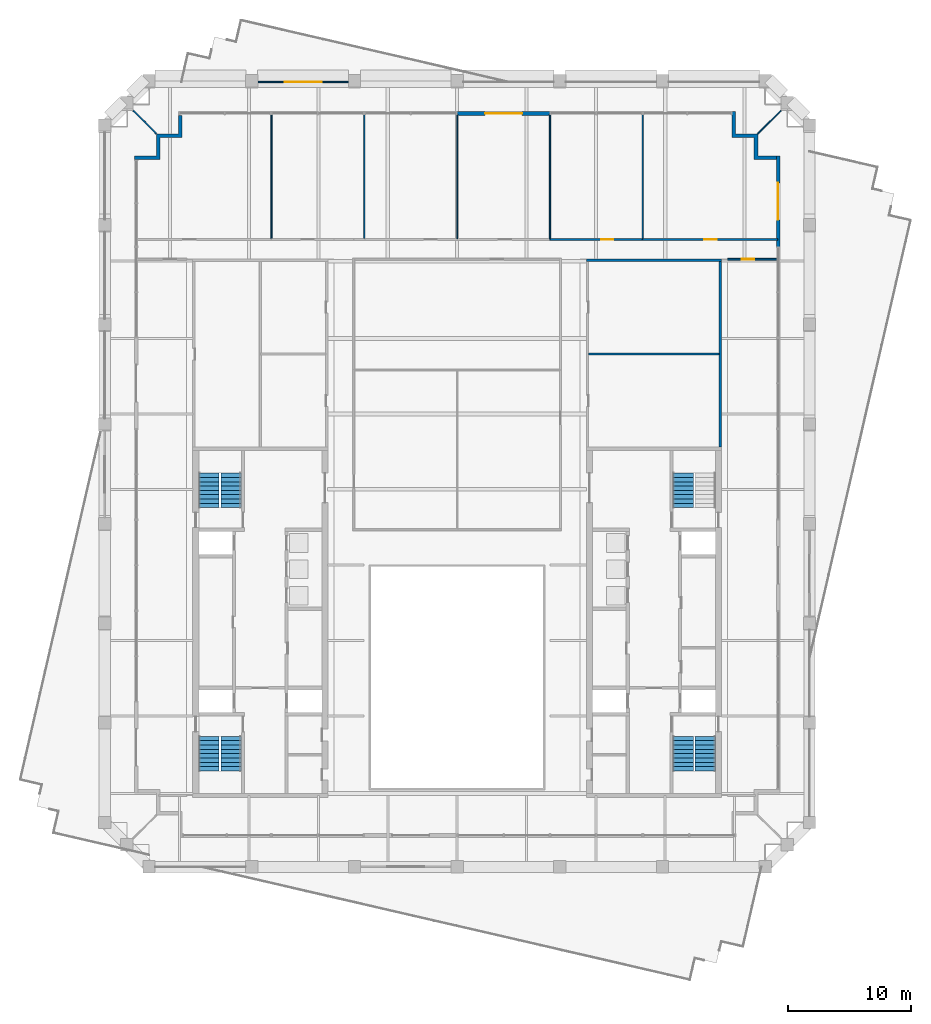
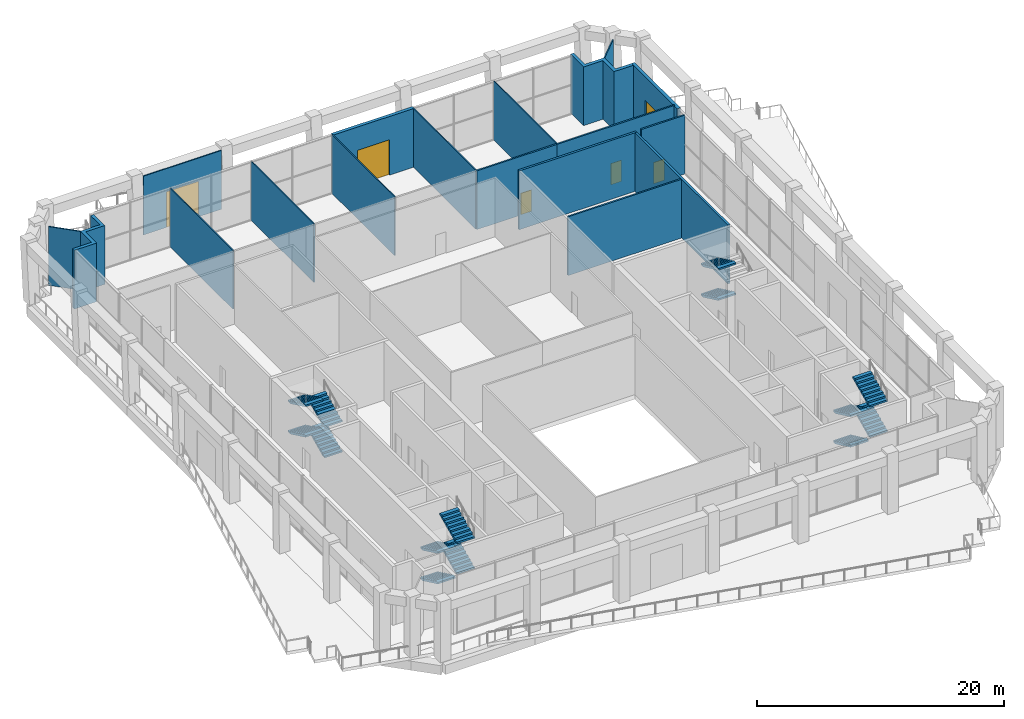
# One storey, part 14 of 20: 18 walls, 14 stair flights, 6 doors, 6 openings, 4 elements without a shape of their own.
"""IFC4 building model written with IfcOpenShell, lengths in metres."""

from ifc_helpers import new_model, si_unit, direction, frame, frame_2d, origin, place, context, subcontext, project, spatial, polyline, rectangle, outline, extrude, material, layer, layer_set, type_object, element, fill, aggregate, save


model = new_model("IFC4")

# Units and contexts
model_context = context("Model", 3, precision=1e-05, world=origin(), true_north=direction((0.0, 1.0)))
body_context = subcontext(model_context, "Body", "Model", "MODEL_VIEW")
ifc_project = project(units=[si_unit("LENGTHUNIT", "METRE"), si_unit("AREAUNIT", "SQUARE_METRE"), si_unit("VOLUMEUNIT", "CUBIC_METRE"), si_unit("PLANEANGLEUNIT", "RADIAN"), si_unit("MASSUNIT", "GRAM", prefix="KILO")], contexts=[model_context])

# Site, building, storey
site_placement = place(None, origin())
site = spatial("IfcSite", under=ifc_project, at=site_placement, CompositionType="ELEMENT")
building_placement = place(site_placement, origin())
building = spatial("IfcBuilding", under=site, at=building_placement, Name="Ogive Exchange Tower", CompositionType="ELEMENT")
storey_placement = place(building_placement, frame((0.0, 0.0, 303.0)))
storey = spatial("IfcBuildingStorey", under=building, at=storey_placement, Name="L66", CompositionType="ELEMENT", Elevation=303.0)

# Wall
ifc_material_1 = material(Name="Gypsum board partition")
ifc_layer_1 = layer(ifc_material_1, 0.14990234375)
ifc_layer_set_1 = layer_set([ifc_layer_1], Name="Core room partition 150 gypsum")
wall_type_1 = type_object("IfcWallType", Name="Core room partition 150 gypsum", PredefinedType="PARTITIONING", material=ifc_layer_set_1)
wall_1_placement = place(storey_placement, frame((10.699951171875, 33.300048828125, 0.0), z_axis=(0.0, 0.0, 1.0), x_axis=(1.0, 0.0, 0.0)))
element("IfcWall", 1, at=wall_1_placement, inside=storey, type_object=wall_type_1, Name="E annex N cross wall", PredefinedType="PARTITIONING", context=body_context, shape_type="SweptSolid", body=[
    extrude(rectangle(XDim=10.60009765625, YDim=0.14990234375, at=frame_2d((5.300048828125, 0.0))), origin(), (0.0, 0.0, 1.0), 5.800048828125),
])

# Wall, opening, door
ifc_material_2 = material(Name="Fire partition EI 60 150")
ifc_layer_2 = layer(ifc_material_2, 0.14990234375)
ifc_layer_set_2 = layer_set([ifc_layer_2], Name="Fire partition EI 60 150")
wall_type_2 = type_object("IfcWallType", Name="Fire partition EI 60 150", PredefinedType="PARTITIONING", material=ifc_layer_set_2)
wall_2_placement = place(storey_placement, frame((7.550048828125, 42.60009765625, 0.0), z_axis=(0.0, 0.0, 1.0), x_axis=(1.0, 0.0, 0.0)))
wall_2 = element("IfcWall", 2, at=wall_2_placement, inside=storey, type_object=wall_type_2, Name="L66-PWL-019", PredefinedType="PARTITIONING", context=body_context, shape_type="SweptSolid", body=[
    extrude(rectangle(XDim=7.5, YDim=0.14990234375, at=frame_2d((3.75, 0.0))), origin(), (0.0, 0.0, 1.0), 5.800048828125),
])
opening_1_placement = place(wall_2_placement, frame((4.14990234375, 0.0, 0.0)))
opening_1 = element("IfcOpeningElement", 3, at=opening_1_placement, cuts=wall_2, Name="Opening L66-I01", PredefinedType="OPENING", context=body_context, shape_type="SweptSolid", body=[
    extrude(rectangle(XDim=1.0, YDim=2.10009765625, at=frame_2d((0.5, 1.050048828125))), frame((0.0, 0.0849609375, 0.0), z_axis=(0.0, -1.0, 0.0), x_axis=(1.0, 0.0, 0.0)), (0.0, 0.0, 1.0), 0.169921875),
])
ifc_material_3 = material(Name="Fire door FD 30S 1000 x 2100")
door_type_1 = type_object("IfcDoorType", Name="Fire door FD 30S 1000 x 2100", OperationType="NOTDEFINED", PredefinedType="DOOR", material=ifc_material_3)
door_1_placement = place(opening_1_placement, origin())
door_1 = element("IfcDoor", 4, at=door_1_placement, inside=storey, type_object=door_type_1, Name="L66-IDR-001", ObjectType="DT3", OperationType="SINGLE_SWING_LEFT", OverallHeight=2.10009765625, OverallWidth=1.0, PredefinedType="DOOR", context=body_context, shape_type="SweptSolid", body=[
    extrude(rectangle(XDim=1.0, YDim=2.10009765625, at=frame_2d((0.5, 1.050048828125))), frame((0.0, 0.02490234375, 0.0), z_axis=(0.0, -1.0, 0.0), x_axis=(1.0, 0.0, 0.0)), (0.0, 0.0, 1.0), 0.050048828125),
])
fill(opening_1, door_1)

wall_3_placement = place(storey_placement, frame((15.050048828125, 42.60009765625, 0.0), z_axis=(0.0, 0.0, 1.0), x_axis=(1.0, 0.0, 0.0)))
wall_3 = element("IfcWall", 5, at=wall_3_placement, inside=storey, type_object=wall_type_2, Name="L66-PWL-024", PredefinedType="PARTITIONING", context=body_context, shape_type="SweptSolid", body=[
    extrude(rectangle(XDim=11.0, YDim=0.14990234375, at=frame_2d((5.5, 0.0))), origin(), (0.0, 0.0, 1.0), 5.800048828125),
])
opening_2_placement = place(wall_3_placement, frame((5.050048828125, 0.0, 0.0)))
opening_2 = element("IfcOpeningElement", 6, at=opening_2_placement, cuts=wall_3, Name="Opening L66-I02", PredefinedType="OPENING", context=body_context, shape_type="SweptSolid", body=[
    extrude(rectangle(XDim=1.0, YDim=2.10009765625, at=frame_2d((0.5, 1.050048828125))), frame((0.0, 0.0849609375, 0.0), z_axis=(0.0, -1.0, 0.0), x_axis=(1.0, 0.0, 0.0)), (0.0, 0.0, 1.0), 0.169921875),
])
door_2_placement = place(opening_2_placement, origin())
door_2 = element("IfcDoor", 7, at=door_2_placement, inside=storey, type_object=door_type_1, Name="L66-IDR-002", ObjectType="DT3", OperationType="SINGLE_SWING_RIGHT", OverallHeight=2.10009765625, OverallWidth=1.0, PredefinedType="DOOR", context=body_context, shape_type="SweptSolid", body=[
    extrude(rectangle(XDim=1.0, YDim=2.10009765625, at=frame_2d((0.5, 1.050048828125))), frame((0.0, 0.02490234375, 0.0), z_axis=(0.0, -1.0, 0.0), x_axis=(1.0, 0.0, 0.0)), (0.0, 0.0, 1.0), 0.050048828125),
])
fill(opening_2, door_2)

wall_4_placement = place(storey_placement, frame((26.050048828125, 41.0, 0.0), z_axis=(0.0, 0.0, 1.0), x_axis=(-1.0, 0.0, 0.0)))
wall_4 = element("IfcWall", 8, at=wall_4_placement, inside=storey, type_object=wall_type_2, Name="L66-PWL-027", PredefinedType="PARTITIONING", context=body_context, shape_type="SweptSolid", body=[
    extrude(rectangle(XDim=4.050048828125, YDim=0.14990234375, at=frame_2d((2.02490234375, 0.0))), origin(), (0.0, 0.0, 1.0), 5.800048828125),
])
opening_3_placement = place(wall_4_placement, frame((1.89990234375, 0.0, 0.0)))
opening_3 = element("IfcOpeningElement", 9, at=opening_3_placement, cuts=wall_4, Name="Opening L66-I11", PredefinedType="OPENING", context=body_context, shape_type="SweptSolid", body=[
    extrude(rectangle(XDim=1.0, YDim=2.10009765625, at=frame_2d((0.5, 1.050048828125))), frame((0.0, 0.0849609375, 0.0), z_axis=(0.0, -1.0, 0.0), x_axis=(1.0, 0.0, 0.0)), (0.0, 0.0, 1.0), 0.169921875),
])
door_3_placement = place(opening_3_placement, origin())
door_3 = element("IfcDoor", 10, at=door_3_placement, inside=storey, type_object=door_type_1, Name="L66-IDR-011", ObjectType="DT3", OperationType="SINGLE_SWING_LEFT", OverallHeight=2.10009765625, OverallWidth=1.0, PredefinedType="DOOR", context=body_context, shape_type="SweptSolid", body=[
    extrude(rectangle(XDim=1.0, YDim=2.10009765625, at=frame_2d((0.5, 1.050048828125))), frame((0.0, 0.02490234375, 0.0), z_axis=(0.0, -1.0, 0.0), x_axis=(1.0, 0.0, 0.0)), (0.0, 0.0, 1.0), 0.050048828125),
])
fill(opening_3, door_3)

ifc_material_4 = material(Name="Precast concrete C40/50", Category="concrete")
ifc_layer_3 = layer(ifc_material_4, 0.300048828125)
ifc_layer_set_3 = layer_set([ifc_layer_3], Name="Limestone-faced wall 300")
wall_type_3 = type_object("IfcWallType", Name="Limestone-faced wall 300", PredefinedType="STANDARD", material=ifc_layer_set_3)
wall_5_placement = place(storey_placement, frame((26.10009765625, 42.0, 0.0), z_axis=(0.0, 0.0, 1.0), x_axis=(0.0, 1.0, 0.0)))
wall_5 = element("IfcWall", 11, at=wall_5_placement, inside=storey, type_object=wall_type_3, Name="External wall E3", PredefinedType="STANDARD", context=body_context, shape_type="SweptSolid", body=[
    extrude(rectangle(XDim=7.39990234375, YDim=0.300048828125, at=frame_2d((3.699951171875, 0.0))), origin(), (0.0, 0.0, 1.0), 5.800048828125),
])
opening_4_placement = place(wall_5_placement, frame((2.199951171875, 0.0, 0.0)))
opening_4 = element("IfcOpeningElement", 12, at=opening_4_placement, cuts=wall_5, Name="Opening D2", PredefinedType="OPENING", context=body_context, shape_type="SweptSolid", body=[
    extrude(rectangle(XDim=3.0, YDim=3.5, at=frame_2d((1.5, 1.75))), frame((0.0, 0.159912109375, 0.0), z_axis=(0.0, -1.0, 0.0), x_axis=(1.0, 0.0, 0.0)), (0.0, 0.0, 1.0), 0.320068359375),
])
ifc_material_5 = material(Name="Clear glass in bronze frame", Category="glass")
door_type_2 = type_object("IfcDoorType", Name="Winter garden sliding door 3000 x 3500", OperationType="DOUBLE_DOOR_SLIDING", PredefinedType="DOOR", material=ifc_material_5)
door_4_placement = place(opening_4_placement, origin())
door_4 = element("IfcDoor", 13, at=door_4_placement, inside=storey, type_object=door_type_2, Name="Loggia door E06", OperationType="DOUBLE_DOOR_SLIDING", OverallHeight=3.5, OverallWidth=3.0, PredefinedType="DOOR", context=body_context, shape_type="SweptSolid", body=[
    extrude(rectangle(XDim=3.0, YDim=3.5, at=frame_2d((1.5, 1.75))), frame((0.0, 0.02490234375, 0.0), z_axis=(0.0, -1.0, 0.0), x_axis=(1.0, 0.0, 0.0)), (0.0, 0.0, 1.0), 0.050048828125),
])
fill(opening_4, door_4)

wall_6_placement = place(storey_placement, frame((7.550048828125, 52.85009765625, 0.0), z_axis=(0.0, 0.0, 1.0), x_axis=(-1.0, 0.0, 0.0)))
wall_6 = element("IfcWall", 14, at=wall_6_placement, inside=storey, type_object=wall_type_3, Name="External wall N4", PredefinedType="STANDARD", context=body_context, shape_type="SweptSolid", body=[
    extrude(rectangle(XDim=7.550048828125, YDim=0.300048828125, at=frame_2d((3.77490234375, 0.0))), origin(), (0.0, 0.0, 1.0), 5.800048828125),
])
opening_5_placement = place(wall_6_placement, frame((2.27490234375, 0.0, 0.0)))
opening_5 = element("IfcOpeningElement", 15, at=opening_5_placement, cuts=wall_6, Name="Opening D2", PredefinedType="OPENING", context=body_context, shape_type="SweptSolid", body=[
    extrude(rectangle(XDim=3.0, YDim=3.5, at=frame_2d((1.5, 1.75))), frame((0.0, 0.159912109375, 0.0), z_axis=(0.0, -1.0, 0.0), x_axis=(1.0, 0.0, 0.0)), (0.0, 0.0, 1.0), 0.320068359375),
])
door_5_placement = place(opening_5_placement, origin())
door_5 = element("IfcDoor", 16, at=door_5_placement, inside=storey, type_object=door_type_2, Name="Loggia door N02", OperationType="DOUBLE_DOOR_SLIDING", OverallHeight=3.5, OverallWidth=3.0, PredefinedType="DOOR", context=body_context, shape_type="SweptSolid", body=[
    extrude(rectangle(XDim=3.0, YDim=3.5, at=frame_2d((1.5, 1.75))), frame((0.0, 0.02490234375, 0.0), z_axis=(0.0, -1.0, 0.0), x_axis=(1.0, 0.0, 0.0)), (0.0, 0.0, 1.0), 0.050048828125),
])
fill(opening_5, door_5)

# Walls
wall_7_placement = place(storey_placement, origin())
element("IfcWall", 17, at=wall_7_placement, inside=storey, type_object=wall_type_3, Name="External corner wall C2", PredefinedType="STANDARD", context=body_context, shape_type="SweptSolid", body=[
    extrude(outline(polyline([(24.14990234375, 50.89990234375), (22.35009765625, 50.89990234375), (22.35009765625, 53.0), (22.64990234375, 53.0), (22.64990234375, 51.199951171875), (24.449951171875, 51.199951171875), (24.449951171875, 49.39990234375), (25.949951171875, 49.39990234375), (25.949951171875, 49.10009765625), (24.14990234375, 49.10009765625), (24.14990234375, 50.89990234375)])), origin(), (0.0, 0.0, 1.0), 5.800048828125),
])
wall_8_placement = place(storey_placement, origin())
element("IfcWall", 18, at=wall_8_placement, inside=storey, type_object=wall_type_3, Name="External corner wall C3", PredefinedType="STANDARD", context=body_context, shape_type="SweptSolid", body=[
    extrude(outline(polyline([(-24.449951171875, 49.39990234375), (-24.449951171875, 51.199951171875), (-22.64990234375, 51.199951171875), (-22.64990234375, 52.699951171875), (-22.35009765625, 52.699951171875), (-22.35009765625, 50.89990234375), (-24.14990234375, 50.89990234375), (-24.14990234375, 49.10009765625), (-26.25, 49.10009765625), (-26.25, 49.39990234375), (-24.449951171875, 49.39990234375)])), origin(), (0.0, 0.0, 1.0), 5.800048828125),
])
ifc_material_6 = material(Name="Laminated safety glass in steel frame", Category="steel")
ifc_layer_4 = layer(ifc_material_6, 0.10009765625)
ifc_layer_set_4 = layer_set([ifc_layer_4], Name="Loggia end screen 100")
wall_type_4 = type_object("IfcWallType", Name="Loggia end screen 100", PredefinedType="STANDARD", material=ifc_layer_set_4)
for number, where, z_axis, x_axis, name in (
    (19, (24.449951171875, 51.199951171875, 0.0), (0.0, 0.0, 1.0), (0.707106781187, 0.707106781187, 0.0), "Loggia end screen C2"),
    (20, (-24.449951171875, 51.199951171875, 0.0), (0.0, 0.0, 1.0), (-0.707106781187, 0.707106781187, 0.0), "Loggia end screen C3"),
):
    element("IfcWall", number, at=place(storey_placement, frame(where, z_axis=z_axis, x_axis=x_axis)), inside=storey, type_object=wall_type_4, Name=name, PredefinedType="STANDARD", context=body_context, shape_type="SweptSolid", body=[
        extrude(rectangle(XDim=2.667236328125, YDim=0.10009765625, at=frame_2d((1.33349609375, 0.0))), origin(), (0.0, 0.0, 1.0), 5.800048828125),
    ])

# Wall, opening, door
wall_9_placement = place(storey_placement, frame((-8.8701171875, 55.39990234375, 0.0), z_axis=(0.0, 0.0, 1.0), x_axis=(-1.0, 0.0, 0.0)))
wall_9 = element("IfcWall", 21, at=wall_9_placement, inside=storey, type_object=wall_type_4, Name="Terrace screen N04", PredefinedType="STANDARD", context=body_context, shape_type="SweptSolid", body=[
    extrude(rectangle(XDim=7.309814453125, YDim=0.10009765625, at=frame_2d((3.65478515625, 0.0))), origin(), (0.0, 0.0, 1.0), 5.800048828125),
])
opening_6_placement = place(wall_9_placement, frame((2.155029296875, 0.0, 0.0)))
opening_6 = element("IfcOpeningElement", 22, at=opening_6_placement, cuts=wall_9, Name="Opening D4", PredefinedType="OPENING", context=body_context, shape_type="SweptSolid", body=[
    extrude(rectangle(XDim=3.0, YDim=3.5, at=frame_2d((1.5, 1.75))), frame((0.0, 0.06005859375, 0.0), z_axis=(0.0, -1.0, 0.0), x_axis=(1.0, 0.0, 0.0)), (0.0, 0.0, 1.0), 0.1201171875),
])
door_type_3 = type_object("IfcDoorType", Name="Terrace sliding door 3000 x 3500", OperationType="DOUBLE_DOOR_SLIDING", PredefinedType="DOOR", material=ifc_material_5)
door_6_placement = place(opening_6_placement, origin())
door_6 = element("IfcDoor", 23, at=door_6_placement, inside=storey, type_object=door_type_3, Name="Terrace door N04", OperationType="DOUBLE_DOOR_SLIDING", OverallHeight=3.5, OverallWidth=3.0, PredefinedType="DOOR", context=body_context, shape_type="SweptSolid", body=[
    extrude(rectangle(XDim=3.0, YDim=3.5, at=frame_2d((1.5, 1.75))), frame((0.0, 0.02490234375, 0.0), z_axis=(0.0, -1.0, 0.0), x_axis=(1.0, 0.0, 0.0)), (0.0, 0.0, 1.0), 0.050048828125),
])
fill(opening_6, door_6)

# Walls
ifc_material_7 = material(Name="Partition 100 gypsum")
ifc_layer_5 = layer(ifc_material_7, 0.10009765625)
ifc_layer_set_5 = layer_set([ifc_layer_5], Name="Partition 100 gypsum")
wall_type_5 = type_object("IfcWallType", Name="Partition 100 gypsum", PredefinedType="PARTITIONING", material=ifc_layer_set_5)
for number, where, z_axis, x_axis, name in (
    (24, (-15.10009765625, 42.675048828125, 0.0), (0.0, 0.0, 1.0), (0.0, 1.0, 0.0), "L66-PWL-004"),
    (25, (-7.550048828125, 42.675048828125, 0.0), (0.0, 0.0, 1.0), (0.0, 1.0, 0.0), "L66-PWL-011"),
    (26, (0.0, 42.675048828125, 0.0), (0.0, 0.0, 1.0), (0.0, 1.0, 0.0), "L66-PWL-016"),
    (27, (7.550048828125, 42.675048828125, 0.0), (0.0, 0.0, 1.0), (0.0, 1.0, 0.0), "L66-PWL-018"),
    (28, (15.10009765625, 52.800048828125, 0.0), (0.0, 0.0, 1.0), (0.0, -1.0, 0.0), "L66-PWL-025"),
):
    element("IfcWall", number, at=place(storey_placement, frame(where, z_axis=z_axis, x_axis=x_axis)), inside=storey, type_object=wall_type_5, Name=name, PredefinedType="PARTITIONING", context=body_context, shape_type="SweptSolid", body=[
        extrude(rectangle(XDim=10.125, YDim=0.10009765625, at=frame_2d((5.0625, 0.0))), origin(), (0.0, 0.0, 1.0), 5.800048828125),
    ])
ifc_material_8 = material(Name="Concrete C70/85", Category="concrete")
ifc_layer_6 = layer(ifc_material_8, 0.199951171875)
ifc_layer_set_6 = layer_set([ifc_layer_6], Name="RC core wall 200 C70/85")
wall_type_6 = type_object("IfcWallType", Name="RC core wall 200 C70/85", PredefinedType="SHEAR", material=ifc_layer_set_6)
wall_10_placement = place(storey_placement, frame((21.39990234375, 25.75, 0.0), z_axis=(0.0, 0.0, 1.0), x_axis=(0.0, 1.0, 0.0)))
element("IfcWall", 29, at=wall_10_placement, inside=storey, type_object=wall_type_6, Name="E annex N outer wall", PredefinedType="SHEAR", context=body_context, shape_type="SweptSolid", body=[
    extrude(rectangle(XDim=15.050048828125, YDim=0.199951171875, at=frame_2d((7.52490234375, 0.0))), origin(), (0.0, 0.0, 1.0), 5.800048828125),
])
wall_11_placement = place(storey_placement, frame((10.5, 40.89990234375, 0.0), z_axis=(0.0, 0.0, 1.0), x_axis=(1.0, 0.0, 0.0)))
element("IfcWall", 30, at=wall_11_placement, inside=storey, type_object=wall_type_6, Name="E annex N end wall", PredefinedType="SHEAR", context=body_context, shape_type="SweptSolid", body=[
    extrude(rectangle(XDim=11.0, YDim=0.199951171875, at=frame_2d((5.5, 0.0))), origin(), (0.0, 0.0, 1.0), 5.800048828125),
])

# Stair, stair flights
ifc_material_9 = material(Name="Concrete C40/50", Category="concrete")
stair_type = type_object("IfcStairType", Name="Exit stair 1650 wide", PredefinedType="HALF_TURN_STAIR", material=ifc_material_9)
stair_1_placement = place(storey_placement, origin())
stair_1 = element("IfcStair", 31, at=stair_1_placement, inside=storey, type_object=stair_type, Name="L66 exit stair ST1", PredefinedType="HALF_TURN_STAIR")
stair_flight_type = type_object("IfcStairFlightType", Name="Stair flight 1650 wide", PredefinedType="STRAIGHT", material=ifc_material_9)
stair_flight_1_placement = place(storey_placement, frame((-20.175048828125, 2.199951171875, 0.0), z_axis=(0.0, 0.0, 1.0), x_axis=(0.0, -1.0, 0.0)))
stair_flight_1 = element("IfcStairFlight", 32, at=stair_flight_1_placement, type_object=stair_flight_type, Name="ST1 flight 1", NumberOfRisers=9, NumberOfTreads=8, PredefinedType="STRAIGHT", RiserHeight=0.166666667, TreadLength=0.351, context=body_context, shape_type="SweptSolid", body=[
    extrude(outline(polyline([(0.0, 0.0), (0.0, 0.166748046875), (0.35107421875, 0.166748046875), (0.35107421875, 0.333251953125), (0.701904296875, 0.333251953125), (0.701904296875, 0.5), (1.052978515625, 0.5), (1.052978515625, 0.666748046875), (1.404052734375, 0.666748046875), (1.404052734375, 0.833251953125), (1.7548828125, 0.833251953125), (1.7548828125, 1.0), (2.10595703125, 1.0), (2.10595703125, 1.166748046875), (2.45703125, 1.166748046875), (2.45703125, 1.333251953125), (2.80810546875, 1.333251953125), (2.80810546875, 1.5), (2.80810546875, 1.16748046875), (0.349365234375, 0.0), (0.0, 0.0)])), frame((0.0, 0.824951171875, 0.0), z_axis=(0.0, -1.0, 0.0), x_axis=(1.0, 0.0, 0.0)), (0.0, 0.0, 1.0), 1.64990234375),
])
stair_flight_2_placement = place(storey_placement, frame((-18.375, -0.60791015625, 1.5), z_axis=(0.0, 0.0, 1.0), x_axis=(0.0, 1.0, 0.0)))
stair_flight_2 = element("IfcStairFlight", 33, at=stair_flight_2_placement, type_object=stair_flight_type, Name="ST1 flight 2", NumberOfRisers=9, NumberOfTreads=8, PredefinedType="STRAIGHT", RiserHeight=0.166666667, TreadLength=0.351, context=body_context, shape_type="SweptSolid", body=[
    extrude(outline(polyline([(0.0, 0.0), (0.0, 0.166748046875), (0.35107421875, 0.166748046875), (0.35107421875, 0.333251953125), (0.701904296875, 0.333251953125), (0.701904296875, 0.5), (1.052978515625, 0.5), (1.052978515625, 0.666748046875), (1.404052734375, 0.666748046875), (1.404052734375, 0.833251953125), (1.7548828125, 0.833251953125), (1.7548828125, 1.0), (2.10595703125, 1.0), (2.10595703125, 1.166748046875), (2.45703125, 1.166748046875), (2.45703125, 1.333251953125), (2.80810546875, 1.333251953125), (2.80810546875, 1.5), (2.80810546875, 1.16748046875), (0.349365234375, 0.0), (0.0, 0.0)])), frame((0.0, 0.824951171875, 0.0), z_axis=(0.0, -1.0, 0.0), x_axis=(1.0, 0.0, 0.0)), (0.0, 0.0, 1.0), 1.64990234375),
])
stair_flight_3_placement = place(storey_placement, frame((-20.175048828125, 2.199951171875, 3.0), z_axis=(0.0, 0.0, 1.0), x_axis=(0.0, -1.0, 0.0)))
stair_flight_3 = element("IfcStairFlight", 34, at=stair_flight_3_placement, type_object=stair_flight_type, Name="ST1 flight 3", NumberOfRisers=9, NumberOfTreads=8, PredefinedType="STRAIGHT", RiserHeight=0.166666667, TreadLength=0.351, context=body_context, shape_type="SweptSolid", body=[
    extrude(outline(polyline([(0.0, 0.0), (0.0, 0.166748046875), (0.35107421875, 0.166748046875), (0.35107421875, 0.333251953125), (0.701904296875, 0.333251953125), (0.701904296875, 0.5), (1.052978515625, 0.5), (1.052978515625, 0.666748046875), (1.404052734375, 0.666748046875), (1.404052734375, 0.833251953125), (1.7548828125, 0.833251953125), (1.7548828125, 1.0), (2.10595703125, 1.0), (2.10595703125, 1.166748046875), (2.45703125, 1.166748046875), (2.45703125, 1.333251953125), (2.80810546875, 1.333251953125), (2.80810546875, 1.5), (2.80810546875, 1.16748046875), (0.349365234375, 0.0), (0.0, 0.0)])), frame((0.0, 0.824951171875, 0.0), z_axis=(0.0, -1.0, 0.0), x_axis=(1.0, 0.0, 0.0)), (0.0, 0.0, 1.0), 1.64990234375),
])
stair_flight_4_placement = place(storey_placement, frame((-18.375, -0.60791015625, 4.5), z_axis=(0.0, 0.0, 1.0), x_axis=(0.0, 1.0, 0.0)))
stair_flight_4 = element("IfcStairFlight", 35, at=stair_flight_4_placement, type_object=stair_flight_type, Name="ST1 flight 4", NumberOfRisers=9, NumberOfTreads=8, PredefinedType="STRAIGHT", RiserHeight=0.166666667, TreadLength=0.351, context=body_context, shape_type="SweptSolid", body=[
    extrude(outline(polyline([(0.0, 0.0), (0.0, 0.166748046875), (0.35107421875, 0.166748046875), (0.35107421875, 0.333251953125), (0.701904296875, 0.333251953125), (0.701904296875, 0.5), (1.052978515625, 0.5), (1.052978515625, 0.666748046875), (1.404052734375, 0.666748046875), (1.404052734375, 0.833251953125), (1.7548828125, 0.833251953125), (1.7548828125, 1.0), (2.10595703125, 1.0), (2.10595703125, 1.166748046875), (2.45703125, 1.166748046875), (2.45703125, 1.333251953125), (2.80810546875, 1.333251953125), (2.80810546875, 1.5), (2.80810546875, 1.16748046875), (0.349365234375, 0.0), (0.0, 0.0)])), frame((0.0, 0.824951171875, 0.0), z_axis=(0.0, -1.0, 0.0), x_axis=(1.0, 0.0, 0.0)), (0.0, 0.0, 1.0), 1.64990234375),
])
aggregate(stair_1, [stair_flight_1, stair_flight_2, stair_flight_3, stair_flight_4])

stair_2_placement = place(storey_placement, origin())
stair_2 = element("IfcStair", 36, at=stair_2_placement, inside=storey, type_object=stair_type, Name="L66 exit stair ST2", PredefinedType="HALF_TURN_STAIR")
stair_flight_5_placement = place(storey_placement, frame((-18.375, 20.800048828125, 0.0), z_axis=(0.0, 0.0, 1.0), x_axis=(0.0, 1.0, 0.0)))
stair_flight_5 = element("IfcStairFlight", 37, at=stair_flight_5_placement, type_object=stair_flight_type, Name="ST2 flight 1", NumberOfRisers=9, NumberOfTreads=8, PredefinedType="STRAIGHT", RiserHeight=0.166666667, TreadLength=0.351, context=body_context, shape_type="SweptSolid", body=[
    extrude(outline(polyline([(0.0, 0.0), (0.0, 0.166748046875), (0.35107421875, 0.166748046875), (0.35107421875, 0.333251953125), (0.701904296875, 0.333251953125), (0.701904296875, 0.5), (1.052978515625, 0.5), (1.052978515625, 0.666748046875), (1.404052734375, 0.666748046875), (1.404052734375, 0.833251953125), (1.7548828125, 0.833251953125), (1.7548828125, 1.0), (2.10595703125, 1.0), (2.10595703125, 1.166748046875), (2.45703125, 1.166748046875), (2.45703125, 1.333251953125), (2.80810546875, 1.333251953125), (2.80810546875, 1.5), (2.80810546875, 1.16748046875), (0.349365234375, 0.0), (0.0, 0.0)])), frame((0.0, 0.824951171875, 0.0), z_axis=(0.0, -1.0, 0.0), x_axis=(1.0, 0.0, 0.0)), (0.0, 0.0, 1.0), 1.64990234375),
])
stair_flight_6_placement = place(storey_placement, frame((-20.175048828125, 23.60791015625, 1.5), z_axis=(0.0, 0.0, 1.0), x_axis=(0.0, -1.0, 0.0)))
stair_flight_6 = element("IfcStairFlight", 38, at=stair_flight_6_placement, type_object=stair_flight_type, Name="ST2 flight 2", NumberOfRisers=9, NumberOfTreads=8, PredefinedType="STRAIGHT", RiserHeight=0.166666667, TreadLength=0.351, context=body_context, shape_type="SweptSolid", body=[
    extrude(outline(polyline([(0.0, 0.0), (0.0, 0.166748046875), (0.35107421875, 0.166748046875), (0.35107421875, 0.333251953125), (0.701904296875, 0.333251953125), (0.701904296875, 0.5), (1.052978515625, 0.5), (1.052978515625, 0.666748046875), (1.404052734375, 0.666748046875), (1.404052734375, 0.833251953125), (1.7548828125, 0.833251953125), (1.7548828125, 1.0), (2.10595703125, 1.0), (2.10595703125, 1.166748046875), (2.45703125, 1.166748046875), (2.45703125, 1.333251953125), (2.80810546875, 1.333251953125), (2.80810546875, 1.5), (2.80810546875, 1.16748046875), (0.349365234375, 0.0), (0.0, 0.0)])), frame((0.0, 0.824951171875, 0.0), z_axis=(0.0, -1.0, 0.0), x_axis=(1.0, 0.0, 0.0)), (0.0, 0.0, 1.0), 1.64990234375),
])
stair_flight_7_placement = place(storey_placement, frame((-18.375, 20.800048828125, 3.0), z_axis=(0.0, 0.0, 1.0), x_axis=(0.0, 1.0, 0.0)))
stair_flight_7 = element("IfcStairFlight", 39, at=stair_flight_7_placement, type_object=stair_flight_type, Name="ST2 flight 3", NumberOfRisers=9, NumberOfTreads=8, PredefinedType="STRAIGHT", RiserHeight=0.166666667, TreadLength=0.351, context=body_context, shape_type="SweptSolid", body=[
    extrude(outline(polyline([(0.0, 0.0), (0.0, 0.166748046875), (0.35107421875, 0.166748046875), (0.35107421875, 0.333251953125), (0.701904296875, 0.333251953125), (0.701904296875, 0.5), (1.052978515625, 0.5), (1.052978515625, 0.666748046875), (1.404052734375, 0.666748046875), (1.404052734375, 0.833251953125), (1.7548828125, 0.833251953125), (1.7548828125, 1.0), (2.10595703125, 1.0), (2.10595703125, 1.166748046875), (2.45703125, 1.166748046875), (2.45703125, 1.333251953125), (2.80810546875, 1.333251953125), (2.80810546875, 1.5), (2.80810546875, 1.16748046875), (0.349365234375, 0.0), (0.0, 0.0)])), frame((0.0, 0.824951171875, 0.0), z_axis=(0.0, -1.0, 0.0), x_axis=(1.0, 0.0, 0.0)), (0.0, 0.0, 1.0), 1.64990234375),
])
stair_flight_8_placement = place(storey_placement, frame((-20.175048828125, 23.60791015625, 4.5), z_axis=(0.0, 0.0, 1.0), x_axis=(0.0, -1.0, 0.0)))
stair_flight_8 = element("IfcStairFlight", 40, at=stair_flight_8_placement, type_object=stair_flight_type, Name="ST2 flight 4", NumberOfRisers=9, NumberOfTreads=8, PredefinedType="STRAIGHT", RiserHeight=0.166666667, TreadLength=0.351, context=body_context, shape_type="SweptSolid", body=[
    extrude(outline(polyline([(0.0, 0.0), (0.0, 0.166748046875), (0.35107421875, 0.166748046875), (0.35107421875, 0.333251953125), (0.701904296875, 0.333251953125), (0.701904296875, 0.5), (1.052978515625, 0.5), (1.052978515625, 0.666748046875), (1.404052734375, 0.666748046875), (1.404052734375, 0.833251953125), (1.7548828125, 0.833251953125), (1.7548828125, 1.0), (2.10595703125, 1.0), (2.10595703125, 1.166748046875), (2.45703125, 1.166748046875), (2.45703125, 1.333251953125), (2.80810546875, 1.333251953125), (2.80810546875, 1.5), (2.80810546875, 1.16748046875), (0.349365234375, 0.0), (0.0, 0.0)])), frame((0.0, 0.824951171875, 0.0), z_axis=(0.0, -1.0, 0.0), x_axis=(1.0, 0.0, 0.0)), (0.0, 0.0, 1.0), 1.64990234375),
])
aggregate(stair_2, [stair_flight_5, stair_flight_6, stair_flight_7, stair_flight_8])

stair_3_placement = place(storey_placement, origin())
stair_3 = element("IfcStair", 41, at=stair_3_placement, inside=storey, type_object=stair_type, Name="L66 exit stair ST3", PredefinedType="HALF_TURN_STAIR")
stair_flight_9_placement = place(storey_placement, frame((18.375, 2.199951171875, 0.0), z_axis=(0.0, 0.0, 1.0), x_axis=(0.0, -1.0, 0.0)))
stair_flight_9 = element("IfcStairFlight", 42, at=stair_flight_9_placement, type_object=stair_flight_type, Name="ST3 flight 1", NumberOfRisers=9, NumberOfTreads=8, PredefinedType="STRAIGHT", RiserHeight=0.166666667, TreadLength=0.351, context=body_context, shape_type="SweptSolid", body=[
    extrude(outline(polyline([(0.0, 0.0), (0.0, 0.166748046875), (0.35107421875, 0.166748046875), (0.35107421875, 0.333251953125), (0.701904296875, 0.333251953125), (0.701904296875, 0.5), (1.052978515625, 0.5), (1.052978515625, 0.666748046875), (1.404052734375, 0.666748046875), (1.404052734375, 0.833251953125), (1.7548828125, 0.833251953125), (1.7548828125, 1.0), (2.10595703125, 1.0), (2.10595703125, 1.166748046875), (2.45703125, 1.166748046875), (2.45703125, 1.333251953125), (2.80810546875, 1.333251953125), (2.80810546875, 1.5), (2.80810546875, 1.16748046875), (0.349365234375, 0.0), (0.0, 0.0)])), frame((0.0, 0.824951171875, 0.0), z_axis=(0.0, -1.0, 0.0), x_axis=(1.0, 0.0, 0.0)), (0.0, 0.0, 1.0), 1.64990234375),
])
stair_flight_10_placement = place(storey_placement, frame((20.175048828125, -0.60791015625, 1.5), z_axis=(0.0, 0.0, 1.0), x_axis=(0.0, 1.0, 0.0)))
stair_flight_10 = element("IfcStairFlight", 43, at=stair_flight_10_placement, type_object=stair_flight_type, Name="ST3 flight 2", NumberOfRisers=9, NumberOfTreads=8, PredefinedType="STRAIGHT", RiserHeight=0.166666667, TreadLength=0.351, context=body_context, shape_type="SweptSolid", body=[
    extrude(outline(polyline([(0.0, 0.0), (0.0, 0.166748046875), (0.35107421875, 0.166748046875), (0.35107421875, 0.333251953125), (0.701904296875, 0.333251953125), (0.701904296875, 0.5), (1.052978515625, 0.5), (1.052978515625, 0.666748046875), (1.404052734375, 0.666748046875), (1.404052734375, 0.833251953125), (1.7548828125, 0.833251953125), (1.7548828125, 1.0), (2.10595703125, 1.0), (2.10595703125, 1.166748046875), (2.45703125, 1.166748046875), (2.45703125, 1.333251953125), (2.80810546875, 1.333251953125), (2.80810546875, 1.5), (2.80810546875, 1.16748046875), (0.349365234375, 0.0), (0.0, 0.0)])), frame((0.0, 0.824951171875, 0.0), z_axis=(0.0, -1.0, 0.0), x_axis=(1.0, 0.0, 0.0)), (0.0, 0.0, 1.0), 1.64990234375),
])
stair_flight_11_placement = place(storey_placement, frame((18.375, 2.199951171875, 3.0), z_axis=(0.0, 0.0, 1.0), x_axis=(0.0, -1.0, 0.0)))
stair_flight_11 = element("IfcStairFlight", 44, at=stair_flight_11_placement, type_object=stair_flight_type, Name="ST3 flight 3", NumberOfRisers=9, NumberOfTreads=8, PredefinedType="STRAIGHT", RiserHeight=0.166666667, TreadLength=0.351, context=body_context, shape_type="SweptSolid", body=[
    extrude(outline(polyline([(0.0, 0.0), (0.0, 0.166748046875), (0.35107421875, 0.166748046875), (0.35107421875, 0.333251953125), (0.701904296875, 0.333251953125), (0.701904296875, 0.5), (1.052978515625, 0.5), (1.052978515625, 0.666748046875), (1.404052734375, 0.666748046875), (1.404052734375, 0.833251953125), (1.7548828125, 0.833251953125), (1.7548828125, 1.0), (2.10595703125, 1.0), (2.10595703125, 1.166748046875), (2.45703125, 1.166748046875), (2.45703125, 1.333251953125), (2.80810546875, 1.333251953125), (2.80810546875, 1.5), (2.80810546875, 1.16748046875), (0.349365234375, 0.0), (0.0, 0.0)])), frame((0.0, 0.824951171875, 0.0), z_axis=(0.0, -1.0, 0.0), x_axis=(1.0, 0.0, 0.0)), (0.0, 0.0, 1.0), 1.64990234375),
])
stair_flight_12_placement = place(storey_placement, frame((20.175048828125, -0.60791015625, 4.5), z_axis=(0.0, 0.0, 1.0), x_axis=(0.0, 1.0, 0.0)))
stair_flight_12 = element("IfcStairFlight", 45, at=stair_flight_12_placement, type_object=stair_flight_type, Name="ST3 flight 4", NumberOfRisers=9, NumberOfTreads=8, PredefinedType="STRAIGHT", RiserHeight=0.166666667, TreadLength=0.351, context=body_context, shape_type="SweptSolid", body=[
    extrude(outline(polyline([(0.0, 0.0), (0.0, 0.166748046875), (0.35107421875, 0.166748046875), (0.35107421875, 0.333251953125), (0.701904296875, 0.333251953125), (0.701904296875, 0.5), (1.052978515625, 0.5), (1.052978515625, 0.666748046875), (1.404052734375, 0.666748046875), (1.404052734375, 0.833251953125), (1.7548828125, 0.833251953125), (1.7548828125, 1.0), (2.10595703125, 1.0), (2.10595703125, 1.166748046875), (2.45703125, 1.166748046875), (2.45703125, 1.333251953125), (2.80810546875, 1.333251953125), (2.80810546875, 1.5), (2.80810546875, 1.16748046875), (0.349365234375, 0.0), (0.0, 0.0)])), frame((0.0, 0.824951171875, 0.0), z_axis=(0.0, -1.0, 0.0), x_axis=(1.0, 0.0, 0.0)), (0.0, 0.0, 1.0), 1.64990234375),
])
aggregate(stair_3, [stair_flight_9, stair_flight_10, stair_flight_11, stair_flight_12])

stair_4_placement = place(storey_placement, origin())
stair_4 = element("IfcStair", 46, at=stair_4_placement, inside=storey, type_object=stair_type, Name="L66 exit stair ST4", PredefinedType="HALF_TURN_STAIR")
stair_flight_13_placement = place(storey_placement, frame((18.375, 23.60791015625, 1.5), z_axis=(0.0, 0.0, 1.0), x_axis=(0.0, -1.0, 0.0)))
stair_flight_13 = element("IfcStairFlight", 47, at=stair_flight_13_placement, type_object=stair_flight_type, Name="ST4 flight 2", NumberOfRisers=9, NumberOfTreads=8, PredefinedType="STRAIGHT", RiserHeight=0.166666667, TreadLength=0.351, context=body_context, shape_type="SweptSolid", body=[
    extrude(outline(polyline([(0.0, 0.0), (0.0, 0.166748046875), (0.35107421875, 0.166748046875), (0.35107421875, 0.333251953125), (0.701904296875, 0.333251953125), (0.701904296875, 0.5), (1.052978515625, 0.5), (1.052978515625, 0.666748046875), (1.404052734375, 0.666748046875), (1.404052734375, 0.833251953125), (1.7548828125, 0.833251953125), (1.7548828125, 1.0), (2.10595703125, 1.0), (2.10595703125, 1.166748046875), (2.45703125, 1.166748046875), (2.45703125, 1.333251953125), (2.80810546875, 1.333251953125), (2.80810546875, 1.5), (2.80810546875, 1.16748046875), (0.349365234375, 0.0), (0.0, 0.0)])), frame((0.0, 0.824951171875, 0.0), z_axis=(0.0, -1.0, 0.0), x_axis=(1.0, 0.0, 0.0)), (0.0, 0.0, 1.0), 1.64990234375),
])
stair_flight_14_placement = place(storey_placement, frame((18.375, 23.60791015625, 4.5), z_axis=(0.0, 0.0, 1.0), x_axis=(0.0, -1.0, 0.0)))
stair_flight_14 = element("IfcStairFlight", 48, at=stair_flight_14_placement, type_object=stair_flight_type, Name="ST4 flight 4", NumberOfRisers=9, NumberOfTreads=8, PredefinedType="STRAIGHT", RiserHeight=0.166666667, TreadLength=0.351, context=body_context, shape_type="SweptSolid", body=[
    extrude(outline(polyline([(0.0, 0.0), (0.0, 0.166748046875), (0.35107421875, 0.166748046875), (0.35107421875, 0.333251953125), (0.701904296875, 0.333251953125), (0.701904296875, 0.5), (1.052978515625, 0.5), (1.052978515625, 0.666748046875), (1.404052734375, 0.666748046875), (1.404052734375, 0.833251953125), (1.7548828125, 0.833251953125), (1.7548828125, 1.0), (2.10595703125, 1.0), (2.10595703125, 1.166748046875), (2.45703125, 1.166748046875), (2.45703125, 1.333251953125), (2.80810546875, 1.333251953125), (2.80810546875, 1.5), (2.80810546875, 1.16748046875), (0.349365234375, 0.0), (0.0, 0.0)])), frame((0.0, 0.824951171875, 0.0), z_axis=(0.0, -1.0, 0.0), x_axis=(1.0, 0.0, 0.0)), (0.0, 0.0, 1.0), 1.64990234375),
])
aggregate(stair_4, [stair_flight_13, stair_flight_14])

save(model, "model.ifc")
